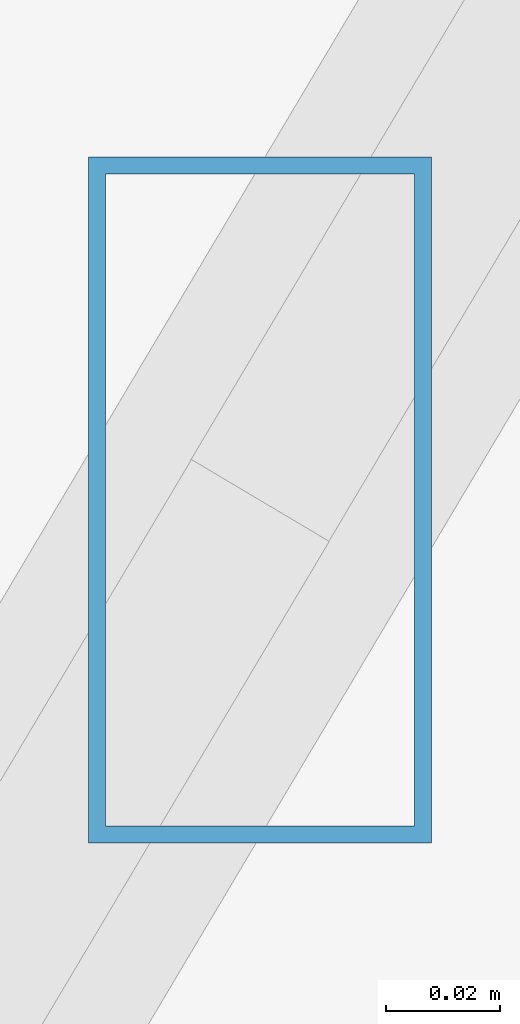
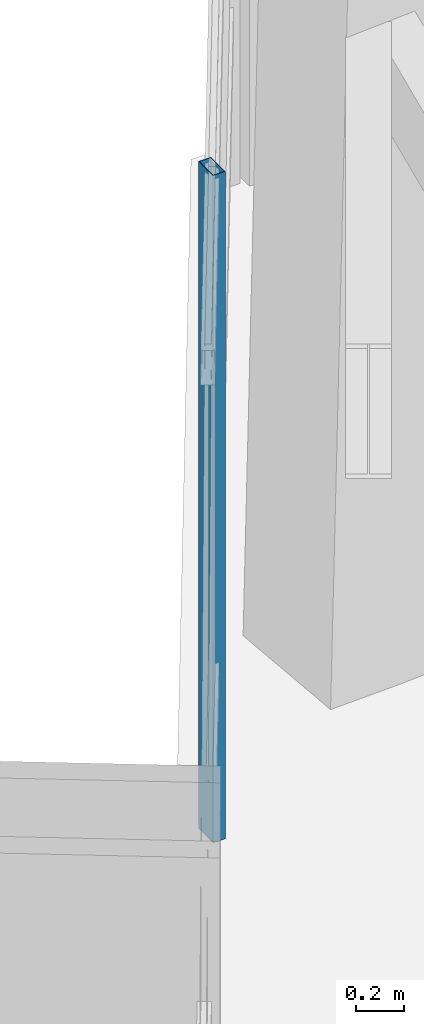
# One storey, part 31 of 45: 1 member, 1 element without a shape of its own.
"""IFC4 building model written with IfcOpenShell, lengths in metres."""

from ifc_helpers import new_model, si_unit, direction, frame, origin, origin_2d, place, context, subcontext, project, spatial, hollow_rectangle, extrude, source, transform, mapped, material, material_profile, profile_set, type_object, type_shapes, element, aggregate, save


model = new_model("IFC4")

# Units and contexts
model_context = context("Model", 3, precision=1e-05, world=origin(), true_north=direction((0.0, 1.0)))
body_context = subcontext(model_context, "Body", "Model", "MODEL_VIEW")
ifc_project = project(units=[si_unit("LENGTHUNIT", "METRE"), si_unit("AREAUNIT", "SQUARE_METRE"), si_unit("VOLUMEUNIT", "CUBIC_METRE"), si_unit("PLANEANGLEUNIT", "RADIAN"), si_unit("MASSUNIT", "GRAM", prefix="KILO")], contexts=[model_context])

# Site, building, storey
site_placement = place(None, origin())
site = spatial("IfcSite", under=ifc_project, at=site_placement, CompositionType="ELEMENT")
building_placement = place(site_placement, origin())
building = spatial("IfcBuilding", under=site, at=building_placement, Name="Caelisora Broadcast Tower", CompositionType="ELEMENT")
storey_placement = place(building_placement, frame((0.0, 0.0, 240.800048828125)))
storey = spatial("IfcBuildingStorey", under=building, at=storey_placement, Name="L63", CompositionType="ELEMENT", Elevation=240.800048828125)

# Curtain wall, member
ifc_material_1 = material(Name="Unitised Aluminium and Low-E Glass Curtain Wall", Category="glass")
curtain_wall_type = type_object("IfcCurtainWallType", Name="CW-Z5", PredefinedType="NOTDEFINED", material=ifc_material_1)
curtain_wall_placement = place(storey_placement, origin())
curtain_wall = element("IfcCurtainWall", 1, at=curtain_wall_placement, inside=storey, type_object=curtain_wall_type, Name="L63 curtain wall CW-Z5", PredefinedType="NOTDEFINED")
ifc_material_2 = material(Name="Aluminium 6063-T6 Anodised Terracotta Bronze", Category="aluminium")
ifc_material_profile = material_profile(ifc_material_2, hollow_rectangle(XDim=0.06005859375, YDim=0.1201171875, WallThickness=0.0029296875, at=origin_2d()), Name="Aluminium 6063-T6 Anodised Terracotta Bronze")
ifc_profile_set = profile_set([ifc_material_profile], Name="Aluminium 6063-T6 Anodised Terracotta Bronze")
member_type = type_object("IfcMemberType", Name="CWM-04", PredefinedType="MULLION", material=ifc_profile_set)
shared_shape = source(origin(), body_context, "Body", "SweptSolid", [
    extrude(hollow_rectangle(XDim=0.06005859375, YDim=0.1201171875, WallThickness=0.0029296875, at=origin_2d()), origin(), (0.0, 0.0, 1.0), 3.39990234375),
])
type_shapes(member_type, [shared_shape])
member_placement = place(storey_placement, frame((32.606689453125, 45.774658203125, 0.0), z_axis=(0.0, 0.0, 1.0), x_axis=(1.0, 0.0, 0.0)))
member = element("IfcMember", 2, at=member_placement, type_object=member_type, Name="L63-CW-B11 mullion #2", PredefinedType="MULLION", context=body_context, shape_type="MappedRepresentation", body=[
    mapped(shared_shape, transform((0.0, 0.0, 0.0), scale=1.0)),
])
aggregate(curtain_wall, [member])

save(model, "model.ifc")
